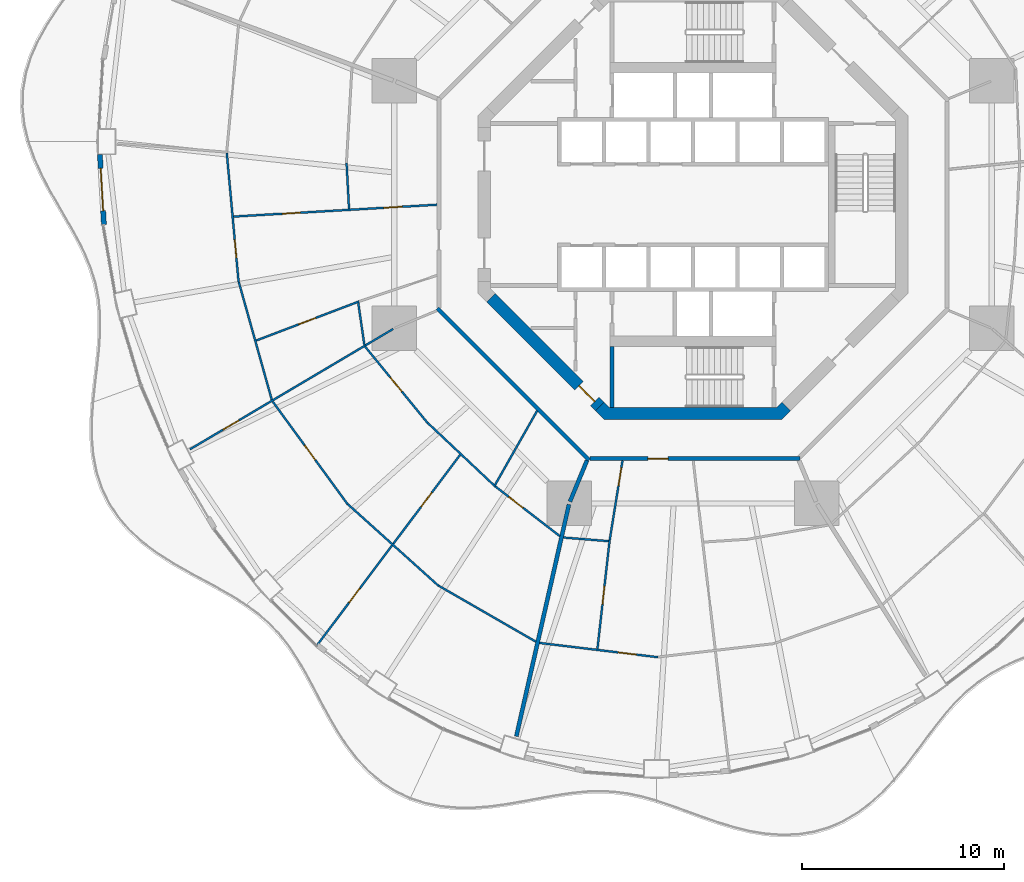
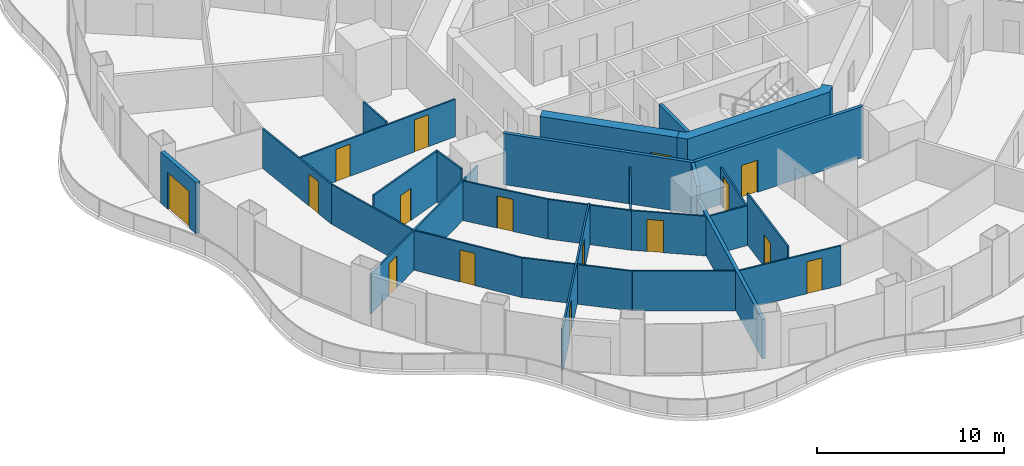
# One storey, part 15 of 23: 27 walls, 16 doors, 16 openings.
"""IFC4 building model written with IfcOpenShell, lengths in metres."""

import ifcopenshell
import ifcopenshell.guid

model = None  # the IFC model being written
_history = None  # IfcOwnerHistory: only IFC2X3 demands one
_inside = {}  # id of a spatial element -> (the spatial element, [elements in it])
_under = {}  # id of a project, library or spatial element -> (it, [spatial elements below it])
_declared = {}  # id of a project -> (the project, [libraries it declares])
_typed = {}  # id of a type object -> (the type object, [elements of that type])
_made_of = {}  # id of a material, layer set ... -> (it, [elements and type objects made of it])


def new_model(schema):
    """Start an empty IFC model of exactly this schema.

    Asked for "IFC4X3", IfcOpenShell would pick the latest addendum, in which some entities
    have other attributes; the version numbers below select the first issue.
    IFC2X3 requires an IfcOwnerHistory on every rooted entity: one is made here for all.
    """
    global model, _history
    if schema == "IFC4X3":
        model = ifcopenshell.file(schema_version=(4, 3, 0, 0))
    else:
        model = ifcopenshell.file(schema=schema)
    _inside.clear()
    _under.clear()
    _declared.clear()
    _typed.clear()
    _made_of.clear()
    _history = None
    if model.schema == "IFC2X3":
        org = make("IfcOrganization", Name="unknown")
        user = make(
            "IfcPersonAndOrganization",
            ThePerson=make("IfcPerson", FamilyName="unknown"),
            TheOrganization=org,
        )
        app = make(
            "IfcApplication",
            ApplicationDeveloper=org,
            Version="unknown",
            ApplicationFullName="unknown",
            ApplicationIdentifier="unknown",
        )
        _history = make(
            "IfcOwnerHistory",
            OwningUser=user,
            OwningApplication=app,
            ChangeAction="ADDED",
            CreationDate=0,
        )
    return model


def make(cls, **values):
    """One entity of the class cls with the attributes given. An attribute that is None is left unset."""
    return model.create_entity(
        cls, **{name: value for name, value in values.items() if value is not None}
    )


def rooted(cls, **values):
    """An entity with a GlobalId (a new one), such as an element, a storey or a relation."""
    return make(cls, GlobalId=ifcopenshell.guid.new(), OwnerHistory=_history, **values)


def si_unit(unit_type, name, prefix=None):
    """IfcSIUnit, for example si_unit("LENGTHUNIT", "METRE", prefix="MILLI")."""
    return make("IfcSIUnit", UnitType=unit_type, Prefix=prefix, Name=name)


def assignment(units):
    """IfcUnitAssignment: the units of a project."""
    return None if units is None else make("IfcUnitAssignment", Units=units)


def point(xyz):
    """IfcCartesianPoint."""
    return None if xyz is None else make("IfcCartesianPoint", Coordinates=xyz)


def direction(xyz):
    """IfcDirection."""
    return None if xyz is None else make("IfcDirection", DirectionRatios=xyz)


def frame(location, z_axis=None, x_axis=None):
    """IfcAxis2Placement3D, a coordinate frame: its origin and axes. An axis left out is left unset."""
    return make(
        "IfcAxis2Placement3D",
        Location=point(location),
        Axis=direction(z_axis),
        RefDirection=direction(x_axis),
    )


def frame_2d(location, x_axis=None):
    """IfcAxis2Placement2D, a coordinate frame in the plane: its origin and x axis."""
    return make(
        "IfcAxis2Placement2D", Location=point(location), RefDirection=direction(x_axis)
    )


def origin():
    """The frame at (0, 0, 0) with its axes left unset."""
    return frame((0.0, 0.0, 0.0))


def place(relative_to, where):
    """IfcLocalPlacement: puts the frame where relative to a parent placement (None: the world)."""
    return make(
        "IfcLocalPlacement", PlacementRelTo=relative_to, RelativePlacement=where
    )


def context(
    kind, dimensions, precision=None, world=None, true_north=None, identifier=None
):
    """IfcGeometricRepresentationContext, for example the 3D "Model" context."""
    return make(
        "IfcGeometricRepresentationContext",
        ContextIdentifier=identifier,
        ContextType=kind,
        CoordinateSpaceDimension=dimensions,
        Precision=precision,
        WorldCoordinateSystem=world,
        TrueNorth=true_north,
    )


def subcontext(parent, identifier, kind, view, scale=None):
    """IfcGeometricRepresentationSubContext, for example "Body" below "Model"."""
    return make(
        "IfcGeometricRepresentationSubContext",
        ContextIdentifier=identifier,
        ContextType=kind,
        ParentContext=parent,
        TargetScale=scale,
        TargetView=view,
    )


def project(units=None, contexts=None):
    """IfcProject with its units and contexts."""
    return rooted(
        "IfcProject",
        Name="project",
        RepresentationContexts=contexts,
        UnitsInContext=assignment(units),
    )


def spatial(cls, under=None, at=None, **own):
    """A site, building, storey or space (cls), placed at a placement, below another one or the project."""
    s = rooted(cls, ObjectPlacement=at, **own)
    if under is not None:
        _under.setdefault(under.id(), (under, []))[1].append(s)
    return s


def polyline(points):
    """IfcPolyline through the points."""
    return make("IfcPolyline", Points=[point(p) for p in points])


def profile(cls, at=None, kind="AREA", **sizes):
    """A parametric profile (cls). Its sizes go by their IFC names, for example OverallWidth=200.0."""
    return make(cls, ProfileType=kind, Position=at, **sizes)


def rectangle(**sizes):
    """IfcRectangleProfileDef."""
    return profile("IfcRectangleProfileDef", **sizes)


def outline(outer, holes=None, kind="AREA"):
    """IfcArbitraryClosedProfileDef: a profile drawn as a closed curve; with holes, ...WithVoids."""
    if holes is None:
        return make("IfcArbitraryClosedProfileDef", ProfileType=kind, OuterCurve=outer)
    return make(
        "IfcArbitraryProfileDefWithVoids",
        ProfileType=kind,
        OuterCurve=outer,
        InnerCurves=holes,
    )


def extrude(swept, where, along, depth):
    """IfcExtrudedAreaSolid: the profile swept, set in the frame where, extruded along a direction by depth."""
    return make(
        "IfcExtrudedAreaSolid",
        SweptArea=swept,
        Position=where,
        ExtrudedDirection=direction(along),
        Depth=depth,
    )


def shape(context_of_items, identifier, shape_type, items):
    """IfcShapeRepresentation: the items that make up one representation, for example the "Body"."""
    return make(
        "IfcShapeRepresentation",
        ContextOfItems=context_of_items,
        RepresentationIdentifier=identifier,
        RepresentationType=shape_type,
        Items=items,
    )


def material(Name=None, Category=None):
    """IfcMaterial."""
    return make("IfcMaterial", Name=Name, Category=Category)


def layer(
    of_material, thickness, ventilated=None, Name=None, Category=None, Priority=None
):
    """IfcMaterialLayer: one layer of a wall or slab, of a material (None: an air gap)."""
    return make(
        "IfcMaterialLayer",
        Material=of_material,
        LayerThickness=thickness,
        IsVentilated=ventilated,
        Name=Name,
        Category=Category,
        Priority=Priority,
    )


def layer_set(layers, Name=None):
    """IfcMaterialLayerSet."""
    return make("IfcMaterialLayerSet", MaterialLayers=layers, LayerSetName=Name)


def made_of(thing, what):
    """Note that an element or type object is made of a material, layer set ...; save() writes the relation."""
    if what is not None:
        _made_of.setdefault(what.id(), (what, []))[1].append(thing)
    return thing


def type_object(cls, material=None, **own):
    """A type object (cls), such as IfcWallType, which elements share."""
    return made_of(rooted(cls, **own), material)


def element(
    cls,
    number,
    at=None,
    inside=None,
    cuts=None,
    type_object=None,
    material=None,
    context=None,
    identifier="Body",
    shape_type=None,
    held_by="IfcProductDefinitionShape",
    body=None,
    shapes=None,
    **own,
):
    """One element of the class cls, such as IfcWall. Its Tag is "e" and its number.

    at: its placement. inside: the storey or other place that contains it. cuts: it is an
    opening in that element (IfcRelVoidsElement). A single representation is given by context,
    identifier, shape_type and body (its items); several are given by shapes. held_by: the class
    of the entity that holds the representations. save() writes the other relations.
    """
    e = rooted(cls, Tag="e%d" % number, ObjectPlacement=at, **own)
    if body is not None:
        shapes = [shape(context, identifier, shape_type, body)]
    if shapes is not None:
        e.Representation = make(held_by, Representations=shapes)
    if inside is not None:
        _inside.setdefault(inside.id(), (inside, []))[1].append(e)
    if cuts is not None:
        rooted(
            "IfcRelVoidsElement", RelatingBuildingElement=cuts, RelatedOpeningElement=e
        )
    if type_object is not None:
        _typed.setdefault(type_object.id(), (type_object, []))[1].append(e)
    return made_of(e, material)


def fill(opening, filler):
    """IfcRelFillsElement: the door or window that sits in an opening."""
    return rooted(
        "IfcRelFillsElement",
        RelatingOpeningElement=opening,
        RelatedBuildingElement=filler,
    )


def aggregate(whole, parts):
    """IfcRelAggregates: a whole, such as a stair, and the parts it consists of."""
    return rooted("IfcRelAggregates", RelatingObject=whole, RelatedObjects=parts)


def save(model, path):
    """Write the relations noted so far, then the file.

    IfcRelAggregates (storeys below a building ...), IfcRelContainedInSpatialStructure (elements
    in a storey), IfcRelDefinesByType, IfcRelAssociatesMaterial and IfcRelDeclares: one each for
    every whole, place, type object, material and project.
    """
    for whole, parts in _under.values():
        aggregate(whole, parts)
    for where, things in _inside.values():
        rooted(
            "IfcRelContainedInSpatialStructure",
            RelatedElements=things,
            RelatingStructure=where,
        )
    for kind, things in _typed.values():
        rooted("IfcRelDefinesByType", RelatedObjects=things, RelatingType=kind)
    for what, things in _made_of.values():
        rooted("IfcRelAssociatesMaterial", RelatedObjects=things, RelatingMaterial=what)
    for by, libraries in _declared.values():
        rooted("IfcRelDeclares", RelatingContext=by, RelatedDefinitions=libraries)
    model.write(path)


model = new_model("IFC4")

# Units and contexts
model_context = context("Model", 3, precision=1e-05, world=origin(), true_north=direction((0.0, 1.0)))
body_context = subcontext(model_context, "Body", "Model", "MODEL_VIEW")
ifc_project = project(units=[si_unit("LENGTHUNIT", "METRE"), si_unit("AREAUNIT", "SQUARE_METRE"), si_unit("VOLUMEUNIT", "CUBIC_METRE"), si_unit("PLANEANGLEUNIT", "RADIAN"), si_unit("MASSUNIT", "GRAM", prefix="KILO")], contexts=[model_context])

# Site, building, storey
site_placement = place(None, origin())
site = spatial("IfcSite", under=ifc_project, at=site_placement, CompositionType="ELEMENT")
building_placement = place(site_placement, origin())
building = spatial("IfcBuilding", under=site, at=building_placement, Name="Nagisa Residences", CompositionType="ELEMENT")
storey_placement = place(building_placement, frame((0.0, 0.0, 110.300048828125)))
storey = spatial("IfcBuildingStorey", under=building, at=storey_placement, Name="L27", CompositionType="ELEMENT", Elevation=110.300048828125)

# Walls
ifc_material_1 = material(Name="Gypsum board on steel studs", Category="steel")
ifc_layer_1 = layer(ifc_material_1, 0.199951171875)
ifc_layer_set_1 = layer_set([ifc_layer_1], Name="Apartment compartment wall EI60 200")
wall_type_1 = type_object("IfcWallType", Name="Apartment compartment wall EI60 200", PredefinedType="PARTITIONING", material=ifc_layer_set_1)
wall_1_placement = place(storey_placement, frame((-5.24267578125, -12.6572265625, 0.0), z_axis=(0.0, 0.0, 1.0), x_axis=(-0.382668627144, -0.923885664896, 0.0)))
element("IfcWall", 1, at=wall_1_placement, inside=storey, type_object=wall_type_1, Name="wall:L27:u04", PredefinedType="PARTITIONING", context=body_context, shape_type="SweptSolid", body=[
    extrude(rectangle(XDim=2.200439453125, YDim=0.199951171875, at=frame_2d((1.10009765625, 0.0))), origin(), (0.0, 0.0, 1.0), 3.349853515625),
])
wall_2_placement = place(storey_placement, frame((-6.134033203125, -14.830810546875, 0.0), z_axis=(0.0, 0.0, 1.0), x_axis=(-0.221225405869, -0.975222702667, 0.0)))
element("IfcWall", 2, at=wall_2_placement, inside=storey, type_object=wall_type_1, Name="wall:L27:u05", PredefinedType="PARTITIONING", context=body_context, shape_type="SweptSolid", body=[
    extrude(rectangle(XDim=11.760986328125, YDim=0.199951171875, at=frame_2d((5.88037109375, 0.0))), origin(), (0.0, 0.0, 1.0), 2.596923828125),
])
ifc_material_2 = material(Name="Gypsum board on steel studs", Category="steel")
ifc_layer_2 = layer(ifc_material_2, 0.199951171875)
ifc_layer_set_2 = layer_set([ifc_layer_2], Name="Apartment entry wall EI60 200")
wall_type_2 = type_object("IfcWallType", Name="Apartment entry wall EI60 200", PredefinedType="PARTITIONING", material=ifc_layer_set_2)
wall_3_placement = place(storey_placement, frame((-12.635498046875, -5.1337890625, 0.0), z_axis=(0.0, 0.0, 1.0), x_axis=(0.707106781187, -0.707106781187, 0.0)))
element("IfcWall", 3, at=wall_3_placement, inside=storey, type_object=wall_type_2, Name="wall:L27:u13", PredefinedType="PARTITIONING", context=body_context, shape_type="SweptSolid", body=[
    extrude(rectangle(XDim=10.609130859375, YDim=0.199951171875, at=frame_2d((5.3046875, 0.0))), origin(), (0.0, 0.0, 1.0), 3.349853515625),
])

# Wall, opening, door
wall_4_placement = place(storey_placement, frame((-5.1044921875, -12.564697265625, 0.0), z_axis=(0.0, 0.0, 1.0), x_axis=(1.0, 0.0, 0.0)))
wall_4 = element("IfcWall", 4, at=wall_4_placement, inside=storey, type_object=wall_type_2, Name="wall:L27:u14", PredefinedType="PARTITIONING", context=body_context, shape_type="SweptSolid", body=[
    extrude(rectangle(XDim=10.408935546875, YDim=0.199951171875, at=frame_2d((5.20458984375, 0.0))), origin(), (0.0, 0.0, 1.0), 3.349853515625),
])
opening_1_placement = place(wall_4_placement, frame((2.86962890625, 0.0, 0.0)))
opening_1 = element("IfcOpeningElement", 5, at=opening_1_placement, cuts=wall_4, Name="Opening L27-U01", PredefinedType="OPENING", context=body_context, shape_type="SweptSolid", body=[
    extrude(rectangle(XDim=1.0, YDim=2.10009765625, at=frame_2d((0.5, 1.050048828125))), frame((0.0, 0.10986328125, 0.0), z_axis=(0.0, -1.0, 0.0), x_axis=(1.0, 0.0, 0.0)), (0.0, 0.0, 1.0), 0.219970703125),
])
ifc_material_3 = material(Name="Timber fire door set", Category="wood")
door_type_1 = type_object("IfcDoorType", Name="Apartment entry door FD30S 1000x2100", OperationType="NOTDEFINED", PredefinedType="DOOR", material=ifc_material_3)
door_1_placement = place(opening_1_placement, frame((1.0, 0.0, 0.0), x_axis=(-1.0, 0.0, 0.0)))
door_1 = element("IfcDoor", 6, at=door_1_placement, inside=storey, type_object=door_type_1, Name="Entry door, Apartment 27A", OperationType="SINGLE_SWING_RIGHT", OverallHeight=2.10009765625, OverallWidth=1.0, PredefinedType="DOOR", context=body_context, shape_type="SweptSolid", body=[
    extrude(rectangle(XDim=1.0, YDim=2.10009765625, at=frame_2d((0.5, 1.050048828125))), frame((0.0, 0.02490234375, 0.0), z_axis=(0.0, -1.0, 0.0), x_axis=(1.0, 0.0, 0.0)), (0.0, 0.0, 1.0), 0.050048828125),
])
fill(opening_1, door_1)

# Wall
ifc_material_4 = material(Name="Gypsum board on steel studs", Category="steel")
ifc_layer_3 = layer(ifc_material_4, 0.10009765625)
ifc_layer_set_3 = layer_set([ifc_layer_3], Name="Apartment partition 100")
wall_type_3 = type_object("IfcWallType", Name="Apartment partition 100", PredefinedType="PARTITIONING", material=ifc_layer_set_3)
wall_5_placement = place(storey_placement, frame((-17.13330078125, 2.058349609375, 0.0), z_axis=(0.0, 0.0, 1.0), x_axis=(0.053749298185, -0.998554461682, 0.0)))
element("IfcWall", 7, at=wall_5_placement, inside=storey, type_object=wall_type_3, Name="wall:L27:u56", PredefinedType="PARTITIONING", context=body_context, shape_type="SweptSolid", body=[
    extrude(rectangle(XDim=2.27099609375, YDim=0.10009765625, at=frame_2d((1.135498046875, 0.0))), origin(), (0.0, 0.0, 1.0), 2.596923828125),
])

# Wall, opening, door
wall_6_placement = place(storey_placement, frame((-23.056884765625, 2.54248046875, 0.0), z_axis=(0.0, 0.0, 1.0), x_axis=(0.091364304609, -0.995817535417, 0.0)))
wall_6 = element("IfcWall", 8, at=wall_6_placement, inside=storey, type_object=wall_type_3, Name="wall:L27:u58", PredefinedType="PARTITIONING", context=body_context, shape_type="SweptSolid", body=[
    extrude(rectangle(XDim=6.402587890625, YDim=0.10009765625, at=frame_2d((3.201171875, 0.0))), origin(), (0.0, 0.0, 1.0), 2.596923828125),
])
opening_2_placement = place(wall_6_placement, frame((4.3017578125, 0.0, 0.0)))
opening_2 = element("IfcOpeningElement", 9, at=opening_2_placement, cuts=wall_6, Name="Opening L27-U47", PredefinedType="OPENING", context=body_context, shape_type="SweptSolid", body=[
    extrude(rectangle(XDim=0.89990234375, YDim=2.10009765625, at=frame_2d((0.449951171875, 1.050048828125))), frame((0.0, 0.06005859375, 0.0), z_axis=(0.0, -1.0, 0.0), x_axis=(1.0, 0.0, 0.0)), (0.0, 0.0, 1.0), 0.1201171875),
])
ifc_material_5 = material(Name="Timber door set", Category="wood")
door_type_2 = type_object("IfcDoorType", Name="Apartment door 900x2100", OperationType="NOTDEFINED", PredefinedType="DOOR", material=ifc_material_5)
door_2_placement = place(opening_2_placement, frame((0.89990234375, 0.0, 0.0), x_axis=(-1.0, 0.0, 0.0)))
door_2 = element("IfcDoor", 10, at=door_2_placement, inside=storey, type_object=door_type_2, Name="Door to family room, Apartment 27D", OperationType="SINGLE_SWING_RIGHT", OverallHeight=2.10009765625, OverallWidth=0.89990234375, PredefinedType="DOOR", context=body_context, shape_type="SweptSolid", body=[
    extrude(rectangle(XDim=0.89990234375, YDim=2.10009765625, at=frame_2d((0.449951171875, 1.050048828125))), frame((0.0, 0.02490234375, 0.0), z_axis=(0.0, -1.0, 0.0), x_axis=(1.0, 0.0, 0.0)), (0.0, 0.0, 1.0), 0.050048828125),
])
fill(opening_2, door_2)

# Wall, openings, doors
wall_7_placement = place(storey_placement, frame((-12.66455078125, -0.005859375, 0.0), z_axis=(0.0, 0.0, 1.0), x_axis=(-0.998300603128, -0.058274400843, 0.0)))
wall_7 = element("IfcWall", 11, at=wall_7_placement, inside=storey, type_object=wall_type_3, Name="wall:L27:u59", PredefinedType="PARTITIONING", context=body_context, shape_type="SweptSolid", body=[
    extrude(rectangle(XDim=10.071533203125, YDim=0.10009765625, at=frame_2d((5.03564453125, 0.0))), origin(), (0.0, 0.0, 1.0), 2.447021484375),
])
opening_3_placement = place(wall_7_placement, frame((1.7255859375, 0.0, 0.0)))
opening_3 = element("IfcOpeningElement", 12, at=opening_3_placement, cuts=wall_7, Name="Opening L27-U42", PredefinedType="OPENING", context=body_context, shape_type="SweptSolid", body=[
    extrude(rectangle(XDim=0.89990234375, YDim=2.10009765625, at=frame_2d((0.449951171875, 1.050048828125))), frame((0.0, 0.06005859375, 0.0), z_axis=(0.0, -1.0, 0.0), x_axis=(1.0, 0.0, 0.0)), (0.0, 0.0, 1.0), 0.1201171875),
])
opening_4_placement = place(wall_7_placement, frame((6.761474609375, 0.0, 0.0)))
opening_4 = element("IfcOpeningElement", 13, at=opening_4_placement, cuts=wall_7, Name="Opening L27-U44", PredefinedType="OPENING", context=body_context, shape_type="SweptSolid", body=[
    extrude(rectangle(XDim=0.89990234375, YDim=2.10009765625, at=frame_2d((0.449951171875, 1.050048828125))), frame((0.0, 0.06005859375, 0.0), z_axis=(0.0, -1.0, 0.0), x_axis=(1.0, 0.0, 0.0)), (0.0, 0.0, 1.0), 0.1201171875),
])
door_3_placement = place(opening_3_placement, frame((0.89990234375, 0.0, 0.0), x_axis=(-1.0, 0.0, 0.0)))
door_3 = element("IfcDoor", 14, at=door_3_placement, inside=storey, type_object=door_type_2, Name="Door to laundry, Apartment 27D", OperationType="SINGLE_SWING_LEFT", OverallHeight=2.10009765625, OverallWidth=0.89990234375, PredefinedType="DOOR", context=body_context, shape_type="SweptSolid", body=[
    extrude(rectangle(XDim=0.89990234375, YDim=2.10009765625, at=frame_2d((0.449951171875, 1.050048828125))), frame((0.0, 0.02490234375, 0.0), z_axis=(0.0, -1.0, 0.0), x_axis=(1.0, 0.0, 0.0)), (0.0, 0.0, 1.0), 0.050048828125),
])
fill(opening_3, door_3)
door_4_placement = place(opening_4_placement, frame((0.89990234375, 0.0, 0.0), x_axis=(-1.0, 0.0, 0.0)))
door_4 = element("IfcDoor", 15, at=door_4_placement, inside=storey, type_object=door_type_2, Name="Door to family room, Apartment 27D", OperationType="SINGLE_SWING_LEFT", OverallHeight=2.10009765625, OverallWidth=0.89990234375, PredefinedType="DOOR", context=body_context, shape_type="SweptSolid", body=[
    extrude(rectangle(XDim=0.89990234375, YDim=2.10009765625, at=frame_2d((0.449951171875, 1.050048828125))), frame((0.0, 0.02490234375, 0.0), z_axis=(0.0, -1.0, 0.0), x_axis=(1.0, 0.0, 0.0)), (0.0, 0.0, 1.0), 0.050048828125),
])
fill(opening_4, door_4)

# Wall
wall_8_placement = place(storey_placement, frame((-22.462890625, -3.83154296875, 0.0), z_axis=(0.0, 0.0, 1.0), x_axis=(0.269797759333, -0.962917010473, 0.0)))
element("IfcWall", 16, at=wall_8_placement, inside=storey, type_object=wall_type_3, Name="wall:L27:u60", PredefinedType="PARTITIONING", context=body_context, shape_type="SweptSolid", body=[
    extrude(rectangle(XDim=6.04296875, YDim=0.10009765625, at=frame_2d((3.021484375, 0.0))), origin(), (0.0, 0.0, 1.0), 2.596923828125),
])

# Wall, opening, door
wall_9_placement = place(storey_placement, frame((-16.5166015625, -4.79052734375, 0.0), z_axis=(0.0, 0.0, 1.0), x_axis=(-0.934746314445, -0.355315813933, 0.0)))
wall_9 = element("IfcWall", 17, at=wall_9_placement, inside=storey, type_object=wall_type_3, Name="wall:L27:u62", PredefinedType="PARTITIONING", context=body_context, shape_type="SweptSolid", body=[
    extrude(rectangle(XDim=5.439208984375, YDim=0.10009765625, at=frame_2d((2.7197265625, 0.0))), origin(), (0.0, 0.0, 1.0), 3.349853515625),
])
opening_5_placement = place(wall_9_placement, frame((2.294677734375, 0.0, 0.0)))
opening_5 = element("IfcOpeningElement", 18, at=opening_5_placement, cuts=wall_9, Name="Opening L27-U45", PredefinedType="OPENING", context=body_context, shape_type="SweptSolid", body=[
    extrude(rectangle(XDim=0.89990234375, YDim=2.10009765625, at=frame_2d((0.449951171875, 1.050048828125))), frame((0.0, 0.06005859375, 0.0), z_axis=(0.0, -1.0, 0.0), x_axis=(1.0, 0.0, 0.0)), (0.0, 0.0, 1.0), 0.1201171875),
])
door_5_placement = place(opening_5_placement, origin())
door_5 = element("IfcDoor", 19, at=door_5_placement, inside=storey, type_object=door_type_2, Name="Door to family bathroom, Apartment 27D", OperationType="SINGLE_SWING_LEFT", OverallHeight=2.10009765625, OverallWidth=0.89990234375, PredefinedType="DOOR", context=body_context, shape_type="SweptSolid", body=[
    extrude(rectangle(XDim=0.89990234375, YDim=2.10009765625, at=frame_2d((0.449951171875, 1.050048828125))), frame((0.0, 0.02490234375, 0.0), z_axis=(0.0, -1.0, 0.0), x_axis=(1.0, 0.0, 0.0)), (0.0, 0.0, 1.0), 0.050048828125),
])
fill(opening_5, door_5)

# Wall
wall_10_placement = place(storey_placement, frame((-16.555908203125, -4.857666015625, 0.0), z_axis=(0.0, 0.0, 1.0), x_axis=(0.144198032946, -0.989548850383, 0.0)))
element("IfcWall", 20, at=wall_10_placement, inside=storey, type_object=wall_type_3, Name="wall:L27:u63", PredefinedType="PARTITIONING", context=body_context, shape_type="SweptSolid", body=[
    extrude(rectangle(XDim=2.1044921875, YDim=0.10009765625, at=frame_2d((1.05224609375, 0.0))), origin(), (0.0, 0.0, 1.0), 3.349853515625),
])

# Wall, opening, door
wall_11_placement = place(storey_placement, frame((-14.824951171875, -6.1484375, 0.0), z_axis=(0.0, 0.0, 1.0), x_axis=(-0.860400431487, -0.509618580408, 0.0)))
wall_11 = element("IfcWall", 21, at=wall_11_placement, inside=storey, type_object=wall_type_3, Name="wall:L27:u65", PredefinedType="PARTITIONING", context=body_context, shape_type="SweptSolid", body=[
    extrude(rectangle(XDim=11.687744140625, YDim=0.10009765625, at=frame_2d((5.84375, 0.0))), origin(), (0.0, 0.0, 1.0), 2.596923828125),
])
opening_6_placement = place(wall_11_placement, frame((8.876953125, 0.0, 0.0)))
opening_6 = element("IfcOpeningElement", 22, at=opening_6_placement, cuts=wall_11, Name="Opening L27-U48", PredefinedType="OPENING", context=body_context, shape_type="SweptSolid", body=[
    extrude(rectangle(XDim=0.89990234375, YDim=2.10009765625, at=frame_2d((0.449951171875, 1.050048828125))), frame((0.0, 0.06005859375, 0.0), z_axis=(0.0, -1.0, 0.0), x_axis=(1.0, 0.0, 0.0)), (0.0, 0.0, 1.0), 0.1201171875),
])
door_6_placement = place(opening_6_placement, origin())
door_6 = element("IfcDoor", 23, at=door_6_placement, inside=storey, type_object=door_type_2, Name="Door to living room, Apartment 27D", OperationType="SINGLE_SWING_RIGHT", OverallHeight=2.10009765625, OverallWidth=0.89990234375, PredefinedType="DOOR", context=body_context, shape_type="SweptSolid", body=[
    extrude(rectangle(XDim=0.89990234375, YDim=2.10009765625, at=frame_2d((0.449951171875, 1.050048828125))), frame((0.0, 0.02490234375, 0.0), z_axis=(0.0, -1.0, 0.0), x_axis=(1.0, 0.0, 0.0)), (0.0, 0.0, 1.0), 0.050048828125),
])
fill(opening_6, door_6)

wall_12_placement = place(storey_placement, frame((-16.213623046875, -7.0283203125, 0.0), z_axis=(0.0, 0.0, 1.0), x_axis=(0.633412158846, -0.773814601197, 0.0)))
wall_12 = element("IfcWall", 24, at=wall_12_placement, inside=storey, type_object=wall_type_3, Name="wall:L27:u66", PredefinedType="PARTITIONING", context=body_context, shape_type="SweptSolid", body=[
    extrude(rectangle(XDim=4.879150390625, YDim=0.10009765625, at=frame_2d((2.439453125, 0.0))), origin(), (0.0, 0.0, 1.0), 2.596923828125),
])
opening_7_placement = place(wall_12_placement, frame((1.964599609375, 0.0, 0.0)))
opening_7 = element("IfcOpeningElement", 25, at=opening_7_placement, cuts=wall_12, Name="Opening L27-U52", PredefinedType="OPENING", context=body_context, shape_type="SweptSolid", body=[
    extrude(rectangle(XDim=0.89990234375, YDim=2.10009765625, at=frame_2d((0.449951171875, 1.050048828125))), frame((0.0, 0.06005859375, 0.0), z_axis=(0.0, -1.0, 0.0), x_axis=(1.0, 0.0, 0.0)), (0.0, 0.0, 1.0), 0.1201171875),
])
door_7_placement = place(opening_7_placement, origin())
door_7 = element("IfcDoor", 26, at=door_7_placement, inside=storey, type_object=door_type_2, Name="Door to store, Apartment 27D", OperationType="SINGLE_SWING_RIGHT", OverallHeight=2.10009765625, OverallWidth=0.89990234375, PredefinedType="DOOR", context=body_context, shape_type="SweptSolid", body=[
    extrude(rectangle(XDim=0.89990234375, YDim=2.10009765625, at=frame_2d((0.449951171875, 1.050048828125))), frame((0.0, 0.02490234375, 0.0), z_axis=(0.0, -1.0, 0.0), x_axis=(1.0, 0.0, 0.0)), (0.0, 0.0, 1.0), 0.050048828125),
])
fill(opening_7, door_7)

wall_13_placement = place(storey_placement, frame((-20.78955078125, -9.739013671875, 0.0), z_axis=(0.0, 0.0, 1.0), x_axis=(0.589595343438, -0.807698787294, 0.0)))
wall_13 = element("IfcWall", 27, at=wall_13_placement, inside=storey, type_object=wall_type_3, Name="wall:L27:u67", PredefinedType="PARTITIONING", context=body_context, shape_type="SweptSolid", body=[
    extrude(rectangle(XDim=6.3076171875, YDim=0.10009765625, at=frame_2d((3.15380859375, 0.0))), origin(), (0.0, 0.0, 1.0), 2.596923828125),
])
opening_8_placement = place(wall_13_placement, frame((2.678955078125, 0.0, 0.0)))
opening_8 = element("IfcOpeningElement", 28, at=opening_8_placement, cuts=wall_13, Name="Opening L27-U50", PredefinedType="OPENING", context=body_context, shape_type="SweptSolid", body=[
    extrude(rectangle(XDim=0.89990234375, YDim=2.10009765625, at=frame_2d((0.449951171875, 1.050048828125))), frame((0.0, 0.06005859375, 0.0), z_axis=(0.0, -1.0, 0.0), x_axis=(1.0, 0.0, 0.0)), (0.0, 0.0, 1.0), 0.1201171875),
])
door_8_placement = place(opening_8_placement, origin())
door_8 = element("IfcDoor", 29, at=door_8_placement, inside=storey, type_object=door_type_2, Name="Door to kitchen, Apartment 27D", OperationType="SINGLE_SWING_RIGHT", OverallHeight=2.10009765625, OverallWidth=0.89990234375, PredefinedType="DOOR", context=body_context, shape_type="SweptSolid", body=[
    extrude(rectangle(XDim=0.89990234375, YDim=2.10009765625, at=frame_2d((0.449951171875, 1.050048828125))), frame((0.0, 0.02490234375, 0.0), z_axis=(0.0, -1.0, 0.0), x_axis=(1.0, 0.0, 0.0)), (0.0, 0.0, 1.0), 0.050048828125),
])
fill(opening_8, door_8)

# Walls
wall_14_placement = place(storey_placement, frame((-13.118408203125, -10.799560546875, 0.0), z_axis=(0.0, 0.0, 1.0), x_axis=(0.72818280142, -0.685382964273, 0.0)))
element("IfcWall", 30, at=wall_14_placement, inside=storey, type_object=wall_type_3, Name="wall:L27:u68", PredefinedType="PARTITIONING", context=body_context, shape_type="SweptSolid", body=[
    extrude(rectangle(XDim=4.586181640625, YDim=0.10009765625, at=frame_2d((2.29296875, 0.0))), origin(), (0.0, 0.0, 1.0), 2.596923828125),
])
wall_15_placement = place(storey_placement, frame((-17.062744140625, -14.826904296875, 0.0), z_axis=(0.0, 0.0, 1.0), x_axis=(0.743485143578, -0.668752451419, 0.0)))
element("IfcWall", 31, at=wall_15_placement, inside=storey, type_object=wall_type_3, Name="wall:L27:u69", PredefinedType="PARTITIONING", context=body_context, shape_type="SweptSolid", body=[
    extrude(rectangle(XDim=6.037109375, YDim=0.10009765625, at=frame_2d((3.0185546875, 0.0))), origin(), (0.0, 0.0, 1.0), 2.596923828125),
])

# Wall, openings, doors
wall_16_placement = place(storey_placement, frame((-11.514892578125, -12.376953125, 0.0), z_axis=(0.0, 0.0, 1.0), x_axis=(-0.600741245554, -0.799443528893, 0.0)))
wall_16 = element("IfcWall", 32, at=wall_16_placement, inside=storey, type_object=wall_type_3, Name="wall:L27:u70", PredefinedType="PARTITIONING", context=body_context, shape_type="SweptSolid", body=[
    extrude(rectangle(XDim=11.85302734375, YDim=0.10009765625, at=frame_2d((5.926513671875, 0.0))), origin(), (0.0, 0.0, 1.0), 2.738037109375),
])
opening_9_placement = place(wall_16_placement, frame((8.2529296875, 0.0, 0.0)))
opening_9 = element("IfcOpeningElement", 33, at=opening_9_placement, cuts=wall_16, Name="Opening L27-U49", PredefinedType="OPENING", context=body_context, shape_type="SweptSolid", body=[
    extrude(rectangle(XDim=0.89990234375, YDim=2.10009765625, at=frame_2d((0.449951171875, 1.050048828125))), frame((0.0, 0.06005859375, 0.0), z_axis=(0.0, -1.0, 0.0), x_axis=(1.0, 0.0, 0.0)), (0.0, 0.0, 1.0), 0.1201171875),
])
opening_10_placement = place(wall_16_placement, frame((2.326416015625, 0.0, 0.0)))
opening_10 = element("IfcOpeningElement", 34, at=opening_10_placement, cuts=wall_16, Name="Opening L27-U51", PredefinedType="OPENING", context=body_context, shape_type="SweptSolid", body=[
    extrude(rectangle(XDim=0.89990234375, YDim=2.10009765625, at=frame_2d((0.449951171875, 1.050048828125))), frame((0.0, 0.06005859375, 0.0), z_axis=(0.0, -1.0, 0.0), x_axis=(1.0, 0.0, 0.0)), (0.0, 0.0, 1.0), 0.1201171875),
])
door_9_placement = place(opening_9_placement, origin())
door_9 = element("IfcDoor", 35, at=door_9_placement, inside=storey, type_object=door_type_2, Name="Door to master bedroom, Apartment 27D", OperationType="SINGLE_SWING_LEFT", OverallHeight=2.10009765625, OverallWidth=0.89990234375, PredefinedType="DOOR", context=body_context, shape_type="SweptSolid", body=[
    extrude(rectangle(XDim=0.89990234375, YDim=2.10009765625, at=frame_2d((0.449951171875, 1.050048828125))), frame((0.0, 0.02490234375, 0.0), z_axis=(0.0, -1.0, 0.0), x_axis=(1.0, 0.0, 0.0)), (0.0, 0.0, 1.0), 0.050048828125),
])
fill(opening_9, door_9)
door_10_placement = place(opening_10_placement, origin())
door_10 = element("IfcDoor", 36, at=door_10_placement, inside=storey, type_object=door_type_2, Name="Door to family room, Apartment 27D", OperationType="SINGLE_SWING_LEFT", OverallHeight=2.10009765625, OverallWidth=0.89990234375, PredefinedType="DOOR", context=body_context, shape_type="SweptSolid", body=[
    extrude(rectangle(XDim=0.89990234375, YDim=2.10009765625, at=frame_2d((0.449951171875, 1.050048828125))), frame((0.0, 0.02490234375, 0.0), z_axis=(0.0, -1.0, 0.0), x_axis=(1.0, 0.0, 0.0)), (0.0, 0.0, 1.0), 0.050048828125),
])
fill(opening_10, door_10)

# Wall
wall_17_placement = place(storey_placement, frame((-7.707275390625, -10.1982421875, 0.0), z_axis=(0.0, 0.0, 1.0), x_axis=(-0.493986531217, -0.869469554945, 0.0)))
element("IfcWall", 37, at=wall_17_placement, inside=storey, type_object=wall_type_3, Name="wall:L27:u71", PredefinedType="PARTITIONING", context=body_context, shape_type="SweptSolid", body=[
    extrude(rectangle(XDim=4.21728515625, YDim=0.10009765625, at=frame_2d((2.108642578125, 0.0))), origin(), (0.0, 0.0, 1.0), 2.447021484375),
])

# Wall, opening, door
wall_18_placement = place(storey_placement, frame((-9.775390625, -13.93896484375, 0.0), z_axis=(0.0, 0.0, 1.0), x_axis=(0.792162117554, -0.610310723741, 0.0)))
wall_18 = element("IfcWall", 38, at=wall_18_placement, inside=storey, type_object=wall_type_3, Name="wall:L27:u72", PredefinedType="PARTITIONING", context=body_context, shape_type="SweptSolid", body=[
    extrude(rectangle(XDim=4.0302734375, YDim=0.10009765625, at=frame_2d((2.01513671875, 0.0))), origin(), (0.0, 0.0, 1.0), 2.596923828125),
])
opening_11_placement = place(wall_18_placement, frame((0.836181640625, 0.0, 0.0)))
opening_11 = element("IfcOpeningElement", 39, at=opening_11_placement, cuts=wall_18, Name="Opening L27-U53", PredefinedType="OPENING", context=body_context, shape_type="SweptSolid", body=[
    extrude(rectangle(XDim=0.89990234375, YDim=2.10009765625, at=frame_2d((0.449951171875, 1.050048828125))), frame((0.0, 0.06005859375, 0.0), z_axis=(0.0, -1.0, 0.0), x_axis=(1.0, 0.0, 0.0)), (0.0, 0.0, 1.0), 0.1201171875),
])
door_11_placement = place(opening_11_placement, origin())
door_11 = element("IfcDoor", 40, at=door_11_placement, inside=storey, type_object=door_type_2, Name="Door to laundry, Apartment 27D", OperationType="SINGLE_SWING_LEFT", OverallHeight=2.10009765625, OverallWidth=0.89990234375, PredefinedType="DOOR", context=body_context, shape_type="SweptSolid", body=[
    extrude(rectangle(XDim=0.89990234375, YDim=2.10009765625, at=frame_2d((0.449951171875, 1.050048828125))), frame((0.0, 0.02490234375, 0.0), z_axis=(0.0, -1.0, 0.0), x_axis=(1.0, 0.0, 0.0)), (0.0, 0.0, 1.0), 0.050048828125),
])
fill(opening_11, door_11)

# Walls
wall_19_placement = place(storey_placement, frame((-12.568115234375, -18.855712890625, 0.0), z_axis=(0.0, 0.0, 1.0), x_axis=(0.866533437451, -0.499119025664, 0.0)))
element("IfcWall", 41, at=wall_19_placement, inside=storey, type_object=wall_type_3, Name="wall:L27:u73", PredefinedType="PARTITIONING", context=body_context, shape_type="SweptSolid", body=[
    extrude(rectangle(XDim=5.53515625, YDim=0.10009765625, at=frame_2d((2.767578125, 0.0))), origin(), (0.0, 0.0, 1.0), 2.596923828125),
])
wall_20_placement = place(storey_placement, frame((-6.40380859375, -16.467529296875, 0.0), z_axis=(0.0, 0.0, 1.0), x_axis=(0.996819101134, -0.079697425392, 0.0)))
element("IfcWall", 42, at=wall_20_placement, inside=storey, type_object=wall_type_3, Name="wall:L27:u74", PredefinedType="PARTITIONING", context=body_context, shape_type="SweptSolid", body=[
    extrude(rectangle(XDim=2.233154296875, YDim=0.10009765625, at=frame_2d((1.11669921875, 0.0))), origin(), (0.0, 0.0, 1.0), 2.596923828125),
])

# Wall, opening, door
wall_21_placement = place(storey_placement, frame((-7.5859375, -21.680419921875, 0.0), z_axis=(0.0, 0.0, 1.0), x_axis=(0.992810535213, -0.119696454295, 0.0)))
wall_21 = element("IfcWall", 43, at=wall_21_placement, inside=storey, type_object=wall_type_3, Name="wall:L27:u75", PredefinedType="PARTITIONING", context=body_context, shape_type="SweptSolid", body=[
    extrude(rectangle(XDim=5.90283203125, YDim=0.10009765625, at=frame_2d((2.951416015625, 0.0))), origin(), (0.0, 0.0, 1.0), 2.596923828125),
])
opening_12_placement = place(wall_21_placement, frame((3.91455078125, 0.0, 0.0)))
opening_12 = element("IfcOpeningElement", 44, at=opening_12_placement, cuts=wall_21, Name="Opening L27-U06", PredefinedType="OPENING", context=body_context, shape_type="SweptSolid", body=[
    extrude(rectangle(XDim=0.89990234375, YDim=2.10009765625, at=frame_2d((0.449951171875, 1.050048828125))), frame((0.0, 0.06005859375, 0.0), z_axis=(0.0, -1.0, 0.0), x_axis=(1.0, 0.0, 0.0)), (0.0, 0.0, 1.0), 0.1201171875),
])
door_12_placement = place(opening_12_placement, frame((0.89990234375, 0.0, 0.0), x_axis=(-1.0, 0.0, 0.0)))
door_12 = element("IfcDoor", 45, at=door_12_placement, inside=storey, type_object=door_type_2, Name="Door to living room, Apartment 27A", OperationType="SINGLE_SWING_LEFT", OverallHeight=2.10009765625, OverallWidth=0.89990234375, PredefinedType="DOOR", context=body_context, shape_type="SweptSolid", body=[
    extrude(rectangle(XDim=0.89990234375, YDim=2.10009765625, at=frame_2d((0.449951171875, 1.050048828125))), frame((0.0, 0.02490234375, 0.0), z_axis=(0.0, -1.0, 0.0), x_axis=(1.0, 0.0, 0.0)), (0.0, 0.0, 1.0), 0.050048828125),
])
fill(opening_12, door_12)

wall_22_placement = place(storey_placement, frame((-3.485595703125, -12.66357421875, 0.0), z_axis=(0.0, 0.0, 1.0), x_axis=(-0.159124641548, -0.987258501332, 0.0)))
wall_22 = element("IfcWall", 46, at=wall_22_placement, inside=storey, type_object=wall_type_3, Name="wall:L27:u76", PredefinedType="PARTITIONING", context=body_context, shape_type="SweptSolid", body=[
    extrude(rectangle(XDim=3.987548828125, YDim=0.10009765625, at=frame_2d((1.99365234375, 0.0))), origin(), (0.0, 0.0, 1.0), 2.447021484375),
])
opening_13_placement = place(wall_22_placement, frame((0.35009765625, 0.0, 0.0)))
opening_13 = element("IfcOpeningElement", 47, at=opening_13_placement, cuts=wall_22, Name="Opening L27-U02", PredefinedType="OPENING", context=body_context, shape_type="SweptSolid", body=[
    extrude(rectangle(XDim=0.89990234375, YDim=2.10009765625, at=frame_2d((0.449951171875, 1.050048828125))), frame((0.0, 0.06005859375, 0.0), z_axis=(0.0, -1.0, 0.0), x_axis=(1.0, 0.0, 0.0)), (0.0, 0.0, 1.0), 0.1201171875),
])
door_13_placement = place(opening_13_placement, frame((0.89990234375, 0.0, 0.0), x_axis=(-1.0, 0.0, 0.0)))
door_13 = element("IfcDoor", 48, at=door_13_placement, inside=storey, type_object=door_type_2, Name="Door to family bathroom, Apartment 27A", OperationType="SINGLE_SWING_LEFT", OverallHeight=2.10009765625, OverallWidth=0.89990234375, PredefinedType="DOOR", context=body_context, shape_type="SweptSolid", body=[
    extrude(rectangle(XDim=0.89990234375, YDim=2.10009765625, at=frame_2d((0.449951171875, 1.050048828125))), frame((0.0, 0.02490234375, 0.0), z_axis=(0.0, -1.0, 0.0), x_axis=(1.0, 0.0, 0.0)), (0.0, 0.0, 1.0), 0.050048828125),
])
fill(opening_13, door_13)

wall_23_placement = place(storey_placement, frame((-4.122314453125, -16.599853515625, 0.0), z_axis=(0.0, 0.0, 1.0), x_axis=(-0.111357928679, -0.993780363924, 0.0)))
wall_23 = element("IfcWall", 49, at=wall_23_placement, inside=storey, type_object=wall_type_3, Name="wall:L27:u77", PredefinedType="PARTITIONING", context=body_context, shape_type="SweptSolid", body=[
    extrude(rectangle(XDim=5.40869140625, YDim=0.10009765625, at=frame_2d((2.704345703125, 0.0))), origin(), (0.0, 0.0, 1.0), 3.349853515625),
])
opening_14_placement = place(wall_23_placement, frame((2.279296875, 0.0, 0.0)))
opening_14 = element("IfcOpeningElement", 50, at=opening_14_placement, cuts=wall_23, Name="Opening L27-U04", PredefinedType="OPENING", context=body_context, shape_type="SweptSolid", body=[
    extrude(rectangle(XDim=0.89990234375, YDim=2.10009765625, at=frame_2d((0.449951171875, 1.050048828125))), frame((0.0, 0.06005859375, 0.0), z_axis=(0.0, -1.0, 0.0), x_axis=(1.0, 0.0, 0.0)), (0.0, 0.0, 1.0), 0.1201171875),
])
door_14_placement = place(opening_14_placement, frame((0.89990234375, 0.0, 0.0), x_axis=(-1.0, 0.0, 0.0)))
door_14 = element("IfcDoor", 51, at=door_14_placement, inside=storey, type_object=door_type_2, Name="Door to family bathroom, Apartment 27A", OperationType="SINGLE_SWING_LEFT", OverallHeight=2.10009765625, OverallWidth=0.89990234375, PredefinedType="DOOR", context=body_context, shape_type="SweptSolid", body=[
    extrude(rectangle(XDim=0.89990234375, YDim=2.10009765625, at=frame_2d((0.449951171875, 1.050048828125))), frame((0.0, 0.02490234375, 0.0), z_axis=(0.0, -1.0, 0.0), x_axis=(1.0, 0.0, 0.0)), (0.0, 0.0, 1.0), 0.050048828125),
])
fill(opening_14, door_14)

ifc_material_6 = material(Name="Precast concrete C40/50", Category="concrete")
ifc_layer_4 = layer(ifc_material_6, 0.25)
ifc_layer_set_4 = layer_set([ifc_layer_4], Name="BALCONY DOOR WALL 250")
wall_type_4 = type_object("IfcWallType", Name="BALCONY DOOR WALL 250", PredefinedType="SOLIDWALL", material=ifc_layer_set_4)
wall_24_placement = place(storey_placement, frame((-29.13330078125, -0.98876953125, 0.0), z_axis=(0.0, 0.0, 1.0), x_axis=(-0.057472489633, 0.998347090413, 0.0)))
wall_24 = element("IfcWall", 52, at=wall_24_placement, inside=storey, type_object=wall_type_4, Name="wall:L27:bay24", PredefinedType="SOLIDWALL", context=body_context, shape_type="SweptSolid", body=[
    extrude(rectangle(XDim=3.470458984375, YDim=0.25, at=frame_2d((1.7353515625, 0.0))), origin(), (0.0, 0.0, 1.0), 3.349853515625),
])
opening_15_placement = place(wall_24_placement, frame((0.68505859375, 0.0, 0.0)))
opening_15 = element("IfcOpeningElement", 53, at=opening_15_placement, cuts=wall_24, Name="Opening BD-L27-09", PredefinedType="OPENING", context=body_context, shape_type="SweptSolid", body=[
    extrude(rectangle(XDim=2.10009765625, YDim=2.39990234375, at=frame_2d((1.050048828125, 1.199951171875))), frame((0.0, 0.135009765625, 0.0), z_axis=(0.0, -1.0, 0.0), x_axis=(1.0, 0.0, 0.0)), (0.0, 0.0, 1.0), 0.27001953125),
])
ifc_material_7 = material(Name="Aluminium and clear glass", Category="aluminium")
door_type_3 = type_object("IfcDoorType", Name="BALCONY SLIDING DOOR 2100x2400", OperationType="SLIDING_TO_LEFT", PredefinedType="DOOR", material=ifc_material_7)
door_15_placement = place(opening_15_placement, origin())
door_15 = element("IfcDoor", 54, at=door_15_placement, inside=storey, type_object=door_type_3, Name="door:L27:bay24", OperationType="SLIDING_TO_LEFT", OverallHeight=2.39990234375, OverallWidth=2.10009765625, PredefinedType="DOOR", context=body_context, shape_type="SweptSolid", body=[
    extrude(rectangle(XDim=2.10009765625, YDim=2.39990234375, at=frame_2d((1.050048828125, 1.199951171875))), frame((0.0, 0.02490234375, 0.0), z_axis=(0.0, -1.0, 0.0), x_axis=(1.0, 0.0, 0.0)), (0.0, 0.0, 1.0), 0.050048828125),
])
fill(opening_15, door_15)

ifc_material_8 = material(Name="Concrete C60", Category="concrete")
ifc_layer_5 = layer(ifc_material_8, 0.60009765625)
ifc_layer_set_5 = layer_set([ifc_layer_5], Name="Core shear wall 600")
wall_type_5 = type_object("IfcWallType", Name="Core shear wall 600", PredefinedType="SHEAR", material=ifc_layer_set_5)
wall_25_placement = place(storey_placement, frame((-9.98828125, -4.613037109375, 0.0), z_axis=(0.0, 0.0, 1.0), x_axis=(0.707106781187, -0.707106781187, 0.0)))
wall_25 = element("IfcWall", 55, at=wall_25_placement, inside=storey, type_object=wall_type_5, Name="wall:L27:core:flat5", PredefinedType="SHEAR", context=body_context, shape_type="SweptSolid", body=[
    extrude(rectangle(XDim=7.601806640625, YDim=0.60009765625, at=frame_2d((3.80078125, 0.0))), origin(), (0.0, 0.0, 1.0), 3.349853515625),
])
opening_16_placement = place(wall_25_placement, frame((6.15087890625, 0.0, 0.0)))
opening_16 = element("IfcOpeningElement", 56, at=opening_16_placement, cuts=wall_25, Name="Opening L27-C22", PredefinedType="OPENING", context=body_context, shape_type="SweptSolid", body=[
    extrude(rectangle(XDim=1.10009765625, YDim=2.10009765625, at=frame_2d((0.550048828125, 1.050048828125))), frame((0.0, 0.31005859375, 0.0), z_axis=(0.0, -1.0, 0.0), x_axis=(1.0, 0.0, 0.0)), (0.0, 0.0, 1.0), 0.6201171875),
])
ifc_material_9 = material(Name="Steel fire door", Category="steel")
door_type_4 = type_object("IfcDoorType", Name="Fire door EI60 1100x2100 single swing", OperationType="NOTDEFINED", PredefinedType="DOOR", material=ifc_material_9)
door_16_placement = place(opening_16_placement, origin())
door_16 = element("IfcDoor", 57, at=door_16_placement, inside=storey, type_object=door_type_4, Name="Housekeeping lobby door L27", OperationType="SINGLE_SWING_RIGHT", OverallHeight=2.10009765625, OverallWidth=1.10009765625, PredefinedType="DOOR", context=body_context, shape_type="SweptSolid", body=[
    extrude(rectangle(XDim=1.10009765625, YDim=2.10009765625, at=frame_2d((0.550048828125, 1.050048828125))), frame((0.0, 0.02490234375, 0.0), z_axis=(0.0, -1.0, 0.0), x_axis=(1.0, 0.0, 0.0)), (0.0, 0.0, 1.0), 0.050048828125),
])
fill(opening_16, door_16)

# Walls
wall_26_placement = place(storey_placement, origin())
element("IfcWall", 58, at=wall_26_placement, inside=storey, type_object=wall_type_5, Name="wall:L27:core:flat6", PredefinedType="SHEAR", context=body_context, shape_type="SweptSolid", body=[
    extrude(outline(polyline([(-4.15234375, -10.024658203125), (4.15234375, -10.024658203125), (4.40087890625, -9.776123046875), (4.8251953125, -10.200439453125), (4.40087890625, -10.62451171875), (-4.40087890625, -10.62451171875), (-4.8251953125, -10.200439453125), (-4.40087890625, -9.776123046875), (-4.15234375, -10.024658203125)])), origin(), (0.0, 0.0, 1.0), 3.349853515625),
])
ifc_material_10 = material(Name="Concrete C60", Category="concrete")
ifc_layer_6 = layer(ifc_material_10, 0.199951171875)
ifc_layer_set_6 = layer_set([ifc_layer_6], Name="Stair enclosure wall 200")
wall_type_6 = type_object("IfcWallType", Name="Stair enclosure wall 200", PredefinedType="SOLIDWALL", material=ifc_layer_set_6)
wall_27_placement = place(storey_placement, origin())
element("IfcWall", 59, at=wall_27_placement, inside=storey, type_object=wall_type_6, Name="wall:L27:SS_w", PredefinedType="SOLIDWALL", context=body_context, shape_type="SweptSolid", body=[
    extrude(outline(polyline([(-3.89990234375, -10.024658203125), (-4.10009765625, -10.024658203125), (-4.10009765625, -7.024658203125), (-3.89990234375, -7.024658203125), (-3.89990234375, -10.024658203125)])), origin(), (0.0, 0.0, 1.0), 3.349853515625),
])

save(model, "model.ifc")
